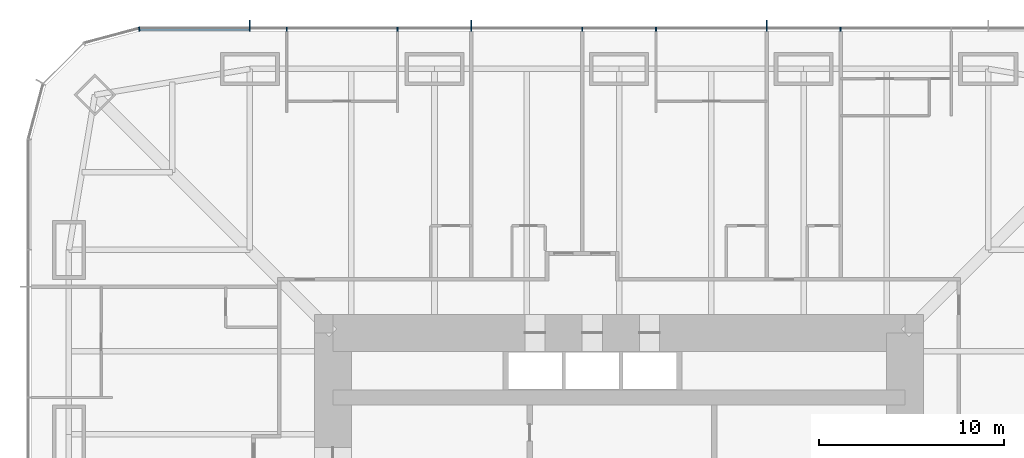
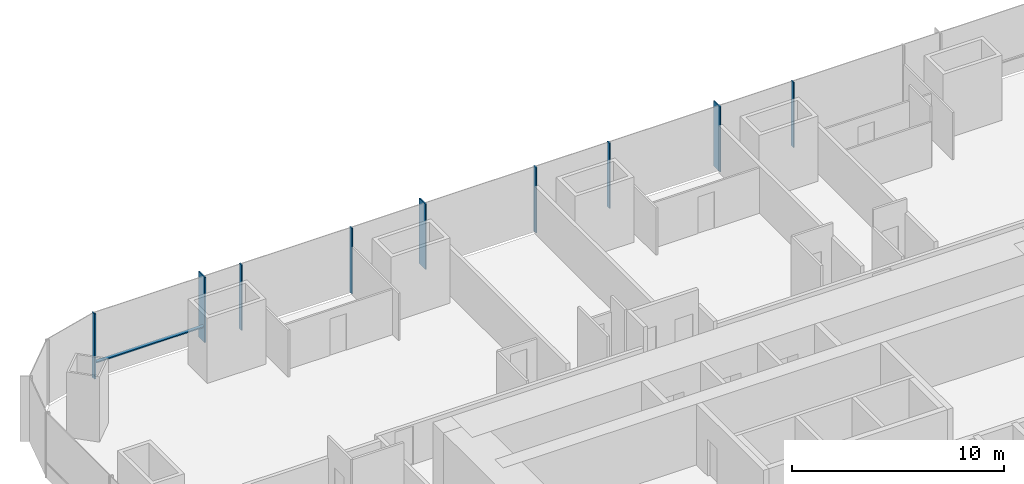
# One storey, part 11 of 20: 10 members, 2 elements without a shape of their own.
"""IFC4 building model written with IfcOpenShell, lengths in metres."""

from ifc_helpers import new_model, si_unit, direction, frame, origin, origin_2d, place, context, subcontext, project, spatial, rectangle, extrude, material, material_profile, profile_set, type_object, element, aggregate, save


model = new_model("IFC4")

# Units and contexts
model_context = context("Model", 3, precision=1e-05, world=origin(), true_north=direction((0.0, 1.0)))
body_context = subcontext(model_context, "Body", "Model", "MODEL_VIEW")
ifc_project = project(units=[si_unit("LENGTHUNIT", "METRE"), si_unit("AREAUNIT", "SQUARE_METRE"), si_unit("VOLUMEUNIT", "CUBIC_METRE"), si_unit("PLANEANGLEUNIT", "RADIAN"), si_unit("MASSUNIT", "GRAM", prefix="KILO")], contexts=[model_context])

# Site, building, storey
site_placement = place(None, origin())
site = spatial("IfcSite", under=ifc_project, at=site_placement, CompositionType="ELEMENT")
building_placement = place(site_placement, origin())
building = spatial("IfcBuilding", under=site, at=building_placement, Name="Khuree Lantern Residences", CompositionType="ELEMENT")
storey_placement = place(building_placement, frame((0.0, 0.0, 28.5)))
storey = spatial("IfcBuildingStorey", under=building, at=storey_placement, Name="L06", CompositionType="ELEMENT", Elevation=28.5)

# Curtain wall, members
ifc_material = material(Name="Bronze anodised aluminium", Category="aluminium")
curtain_wall_type_1 = type_object("IfcCurtainWallType", Name="CW-T1 TOWER FACE CURTAIN WALL", PredefinedType="USERDEFINED", material=ifc_material)
curtain_wall_1_placement = place(storey_placement, origin())
curtain_wall_1 = element("IfcCurtainWall", 1, at=curtain_wall_1_placement, inside=storey, type_object=curtain_wall_type_1, Name="L06 NORTH FACE CURTAIN WALL", ObjectType="Stick-built curtain wall", PredefinedType="USERDEFINED")
ifc_material_profile_1 = material_profile(ifc_material, rectangle(XDim=0.06494140625, YDim=0.60009765625, at=origin_2d()), Name="F1 65X600")
ifc_profile_set_1 = profile_set([ifc_material_profile_1], Name="Bronze anodised aluminium")
member_type_1 = type_object("IfcMemberType", Name="F1 BRONZE FIN MULLION TOWER 65X600", PredefinedType="MULLION", material=ifc_profile_set_1)
member_1_placement = place(storey_placement, frame((8.0, 32.14990234375, 0.0), z_axis=(0.0, 0.0, 1.0), x_axis=(-1.0, 0.0, 0.0)))
member_1 = element("IfcMember", 2, at=member_1_placement, type_object=member_type_1, Name="L06 NORTH FACE FIN MULLION 22", PredefinedType="MULLION", context=body_context, shape_type="SweptSolid", body=[
    extrude(rectangle(XDim=0.06494140625, YDim=0.60009765625, at=origin_2d()), origin(), (0.0, 0.0, 1.0), 3.75),
])
member_2_placement = place(storey_placement, frame((-8.0, 32.14990234375, 0.0), z_axis=(0.0, 0.0, 1.0), x_axis=(-1.0, 0.0, 0.0)))
member_2 = element("IfcMember", 3, at=member_2_placement, type_object=member_type_1, Name="L06 NORTH FACE FIN MULLION 25", PredefinedType="MULLION", context=body_context, shape_type="SweptSolid", body=[
    extrude(rectangle(XDim=0.06494140625, YDim=0.60009765625, at=origin_2d()), origin(), (0.0, 0.0, 1.0), 3.75),
])
member_3_placement = place(storey_placement, frame((-20.0, 32.14990234375, 0.0), z_axis=(0.0, 0.0, 1.0), x_axis=(-1.0, 0.0, 0.0)))
member_3 = element("IfcMember", 4, at=member_3_placement, type_object=member_type_1, Name="L06 NORTH FACE FIN MULLION 28", PredefinedType="MULLION", context=body_context, shape_type="SweptSolid", body=[
    extrude(rectangle(XDim=0.06494140625, YDim=0.60009765625, at=origin_2d()), origin(), (0.0, 0.0, 1.0), 3.75),
])
ifc_material_profile_2 = material_profile(ifc_material, rectangle(XDim=0.06494140625, YDim=0.219970703125, at=origin_2d()), Name="M1 65X220")
ifc_profile_set_2 = profile_set([ifc_material_profile_2], Name="Bronze anodised aluminium")
member_type_2 = type_object("IfcMemberType", Name="M1 BRONZE MULLION TOWER 65X220", PredefinedType="MULLION", material=ifc_profile_set_2)
member_4_placement = place(storey_placement, frame((12.0, 31.9599609375, 0.0), z_axis=(0.0, 0.0, 1.0), x_axis=(-1.0, 0.0, 0.0)))
member_4 = element("IfcMember", 5, at=member_4_placement, type_object=member_type_2, Name="L06 NORTH FACE MULLION 21", PredefinedType="MULLION", context=body_context, shape_type="SweptSolid", body=[
    extrude(rectangle(XDim=0.06494140625, YDim=0.219970703125, at=origin_2d()), origin(), (0.0, 0.0, 1.0), 3.75),
])
member_5_placement = place(storey_placement, frame((2.0, 31.9599609375, 0.0), z_axis=(0.0, 0.0, 1.0), x_axis=(-1.0, 0.0, 0.0)))
member_5 = element("IfcMember", 6, at=member_5_placement, type_object=member_type_2, Name="L06 NORTH FACE MULLION 23", PredefinedType="MULLION", context=body_context, shape_type="SweptSolid", body=[
    extrude(rectangle(XDim=0.06494140625, YDim=0.219970703125, at=origin_2d()), origin(), (0.0, 0.0, 1.0), 3.75),
])
member_6_placement = place(storey_placement, frame((-2.0, 31.9599609375, 0.0), z_axis=(0.0, 0.0, 1.0), x_axis=(-1.0, 0.0, 0.0)))
member_6 = element("IfcMember", 7, at=member_6_placement, type_object=member_type_2, Name="L06 NORTH FACE MULLION 24", PredefinedType="MULLION", context=body_context, shape_type="SweptSolid", body=[
    extrude(rectangle(XDim=0.06494140625, YDim=0.219970703125, at=origin_2d()), origin(), (0.0, 0.0, 1.0), 3.75),
])
member_7_placement = place(storey_placement, frame((-12.0, 31.9599609375, 0.0), z_axis=(0.0, 0.0, 1.0), x_axis=(-1.0, 0.0, 0.0)))
member_7 = element("IfcMember", 8, at=member_7_placement, type_object=member_type_2, Name="L06 NORTH FACE MULLION 26", PredefinedType="MULLION", context=body_context, shape_type="SweptSolid", body=[
    extrude(rectangle(XDim=0.06494140625, YDim=0.219970703125, at=origin_2d()), origin(), (0.0, 0.0, 1.0), 3.75),
])
member_8_placement = place(storey_placement, frame((-18.0, 31.9599609375, 0.0), z_axis=(0.0, 0.0, 1.0), x_axis=(-1.0, 0.0, 0.0)))
member_8 = element("IfcMember", 9, at=member_8_placement, type_object=member_type_2, Name="L06 NORTH FACE MULLION 27", PredefinedType="MULLION", context=body_context, shape_type="SweptSolid", body=[
    extrude(rectangle(XDim=0.06494140625, YDim=0.219970703125, at=origin_2d()), origin(), (0.0, 0.0, 1.0), 3.75),
])

# Curtain wall, member
curtain_wall_type_2 = type_object("IfcCurtainWallType", Name="CW-T2 TOWER CORNER CURTAIN WALL", PredefinedType="USERDEFINED", material=ifc_material)
curtain_wall_2_placement = place(storey_placement, origin())
curtain_wall_2 = element("IfcCurtainWall", 10, at=curtain_wall_2_placement, inside=storey, type_object=curtain_wall_type_2, Name="L06 NORTH-WEST CORNER CURTAIN WALL", ObjectType="Faceted corner curtain wall", PredefinedType="USERDEFINED")
member_9_placement = place(storey_placement, frame((-25.994873046875, 31.961669921875, 0.0), z_axis=(0.0, 0.0, 1.0), x_axis=(-0.991444852794, -0.130526257387, 0.0)))
member_9 = element("IfcMember", 11, at=member_9_placement, type_object=member_type_2, Name="L06 NORTH-WEST CORNER MULLION 29", PredefinedType="MULLION", context=body_context, shape_type="SweptSolid", body=[
    extrude(rectangle(XDim=0.06494140625, YDim=0.219970703125, at=origin_2d()), origin(), (0.0, 0.0, 1.0), 3.75),
])
aggregate(curtain_wall_2, [member_9])

# Member
ifc_material_profile_3 = material_profile(ifc_material, rectangle(XDim=0.179931640625, YDim=0.06494140625, at=origin_2d()), Name="T1 180X65")
ifc_profile_set_3 = profile_set([ifc_material_profile_3], Name="Bronze anodised aluminium")
member_type_3 = type_object("IfcMemberType", Name="TRANSOM T1 TOWER 180X65", PredefinedType="USERDEFINED", material=ifc_profile_set_3)
member_10_placement = place(storey_placement, frame((-20.032470703125, 31.969970703125, 0.89990234375), z_axis=(-1.0, 0.0, 0.0), x_axis=(0.0, -1.0, 0.0)))
member_10 = element("IfcMember", 12, at=member_10_placement, type_object=member_type_3, Name="L06 NORTH FACE TRANSOM 28.1", ObjectType="Transom", PredefinedType="USERDEFINED", context=body_context, shape_type="SweptSolid", body=[
    extrude(rectangle(XDim=0.179931640625, YDim=0.06494140625, at=origin_2d()), origin(), (0.0, 0.0, 1.0), 5.9189453125),
])

aggregate(curtain_wall_1, [member_4, member_1, member_5, member_6, member_2, member_7, member_8, member_3, member_10])

save(model, "model.ifc")
